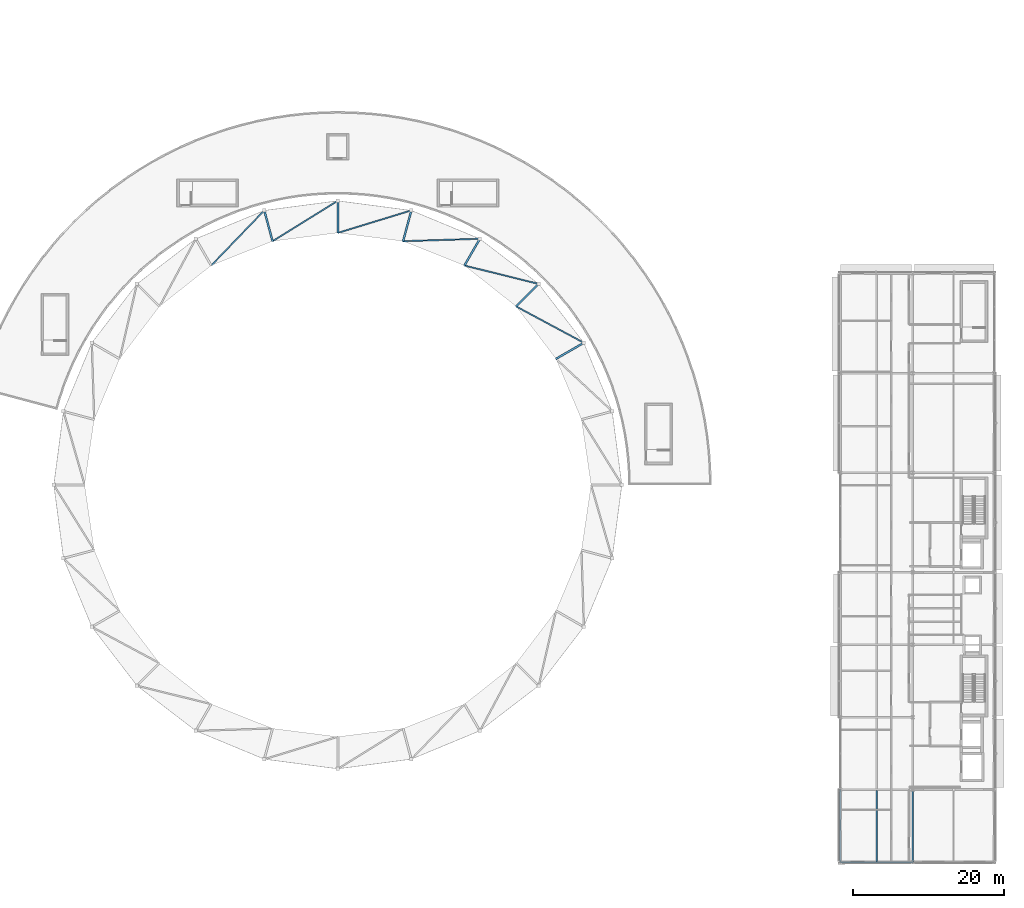
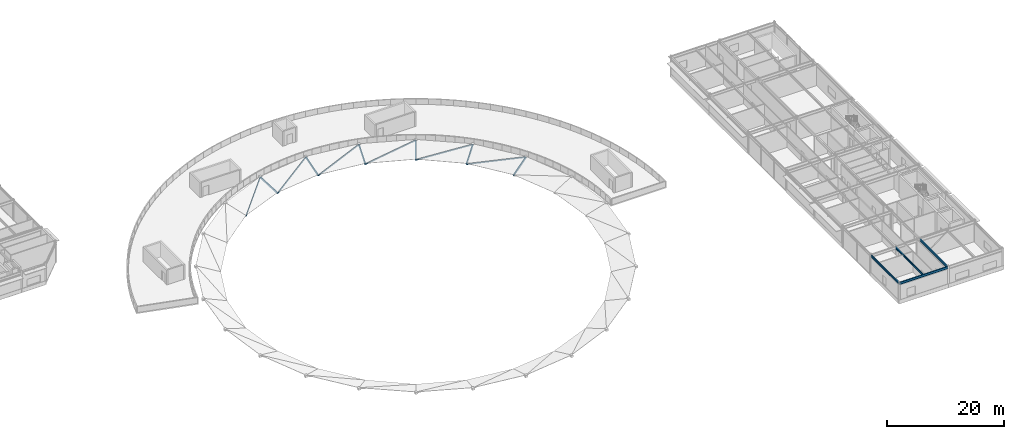
# One storey, part 18 of 50: 12 members, 4 beams.
"""IFC4 building model written with IfcOpenShell, lengths in metres."""

from ifc_helpers import new_model, si_unit, direction, frame, origin, origin_2d, place, context, subcontext, project, spatial, hollow_rectangle, i_section, extrude, material, material_profile, profile_set, type_object, element, save


model = new_model("IFC4")

# Units and contexts
model_context = context("Model", 3, precision=1e-05, world=origin(), true_north=direction((0.0, 1.0)))
body_context = subcontext(model_context, "Body", "Model", "MODEL_VIEW")
ifc_project = project(units=[si_unit("LENGTHUNIT", "METRE"), si_unit("AREAUNIT", "SQUARE_METRE"), si_unit("VOLUMEUNIT", "CUBIC_METRE"), si_unit("PLANEANGLEUNIT", "RADIAN"), si_unit("MASSUNIT", "GRAM", prefix="KILO")], contexts=[model_context])

# Site, building, storey
site_placement = place(None, origin())
site = spatial("IfcSite", under=ifc_project, at=site_placement, CompositionType="ELEMENT")
building_placement = place(site_placement, origin())
building = spatial("IfcBuilding", under=site, at=building_placement, Name="Almandine Court Research Institute", CompositionType="ELEMENT")
storey_placement = place(building_placement, frame((0.0, 0.0, 23.449951171875)))
storey = spatial("IfcBuildingStorey", under=building, at=storey_placement, Name="L05", CompositionType="ELEMENT", Elevation=23.449951171875)

# Beams
ifc_material_1 = material(Name="Steel ASTM A992 Grade 50", Category="steel")
ifc_material_profile_1 = material_profile(ifc_material_1, i_section(OverallWidth=0.18994140625, OverallDepth=0.45703125, WebThickness=0.009033203125, FlangeThickness=0.014892578125, at=origin_2d()), Name="W460x74")
ifc_profile_set_1 = profile_set([ifc_material_profile_1], Name="Steel ASTM A992 Grade 50")
beam_type_1 = type_object("IfcBeamType", Name="Beam-B-01", PredefinedType="BEAM", material=ifc_profile_set_1)
for number, where, z_axis, x_axis, name in (
    (1, (153.60009765625, 6.0, 4.156982421875), (0.0, 1.0, 0.0), (-1.0, 0.0, 0.0), "L05 V4 Primary Y Girder"),
    (2, (163.199951171875, 6.0, 4.156982421875), (0.0, 1.0, 0.0), (-1.0, 0.0, 0.0), "L05 V4 Primary Y Girder"),
):
    element("IfcBeam", number, at=place(storey_placement, frame(where, z_axis=z_axis, x_axis=x_axis)), inside=storey, type_object=beam_type_1, Name=name, PredefinedType="BEAM", context=body_context, shape_type="SweptSolid", body=[
        extrude(i_section(OverallWidth=0.18994140625, OverallDepth=0.45703125, WebThickness=0.009033203125, FlangeThickness=0.014892578125, at=origin_2d()), origin(), (0.0, 0.0, 1.0), 9.60009765625),
    ])
ifc_material_profile_2 = material_profile(ifc_material_1, i_section(OverallWidth=0.178955078125, OverallDepth=0.409912109375, WebThickness=0.009033203125, FlangeThickness=0.013916015625, at=origin_2d()), Name="W410x67")
ifc_profile_set_2 = profile_set([ifc_material_profile_2], Name="Steel ASTM A992 Grade 50")
beam_type_2 = type_object("IfcBeamType", Name="Beam-B-02", PredefinedType="JOIST", material=ifc_profile_set_2)
beam_1_placement = place(storey_placement, frame((158.39990234375, 6.094970703125, 4.179931640625), z_axis=(0.0, 1.0, 0.0), x_axis=(-1.0, 0.0, 0.0)))
element("IfcBeam", 3, at=beam_1_placement, inside=storey, type_object=beam_type_2, Name="L05 V4 Composite Secondary Beam", PredefinedType="JOIST", context=body_context, shape_type="SweptSolid", body=[
    extrude(i_section(OverallWidth=0.178955078125, OverallDepth=0.409912109375, WebThickness=0.009033203125, FlangeThickness=0.013916015625, at=origin_2d()), origin(), (0.0, 0.0, 1.0), 9.401123046875),
])
ifc_material_profile_3 = material_profile(ifc_material_1, i_section(OverallWidth=0.193115234375, OverallDepth=0.466064453125, WebThickness=0.010986328125, FlangeThickness=0.01904296875, at=origin_2d()), Name="W460x97")
ifc_profile_set_3 = profile_set([ifc_material_profile_3], Name="Steel ASTM A992 Grade 50")
beam_type_3 = type_object("IfcBeamType", Name="Beam-G-06-E", PredefinedType="SPANDREL", material=ifc_profile_set_3)
beam_2_placement = place(storey_placement, frame((153.60009765625, 6.0, 4.152099609375), z_axis=(1.0, 0.0, 0.0), x_axis=(0.0, 1.0, 0.0)))
element("IfcBeam", 4, at=beam_2_placement, inside=storey, type_object=beam_type_3, Name="L05 V4 Primary X Girder", PredefinedType="SPANDREL", context=body_context, shape_type="SweptSolid", body=[
    extrude(i_section(OverallWidth=0.193115234375, OverallDepth=0.466064453125, WebThickness=0.010986328125, FlangeThickness=0.01904296875, at=origin_2d()), origin(), (0.0, 0.0, 1.0), 9.599853515625),
])

# Members
ifc_material_2 = material(Name="Steel ASTM A500 Grade C", Category="steel")
ifc_material_profile_4 = material_profile(ifc_material_2, hollow_rectangle(XDim=0.25, YDim=0.25, WallThickness=0.010009765625, at=origin_2d()), Name="HSS 250x250x10")
ifc_profile_set_4 = profile_set([ifc_material_profile_4], Name="Steel ASTM A500 Grade C")
member_type_1 = type_object("IfcMemberType", Name="Mem-GS-AR1", PredefinedType="RAFTER", material=ifc_profile_set_4)
member_1_placement = place(storey_placement, frame((119.60595703125, 74.824951171875, 0.699951171875), z_axis=(-0.830674467519, -0.479682936068, -0.282637948367), x_axis=(0.500072563448, -0.865983505205, 0.0)))
element("IfcMember", 5, at=member_1_placement, inside=storey, type_object=member_type_1, Name="Atrium Conical Gridshell Radial Rib R0-S02", PredefinedType="RAFTER", context=body_context, shape_type="SweptSolid", body=[
    extrude(hollow_rectangle(XDim=0.25, YDim=0.25, WallThickness=0.010009765625, at=origin_2d()), origin(), (0.0, 0.0, 1.0), 4.44677734375),
])
member_2_placement = place(storey_placement, frame((113.623046875, 82.623046875, 0.699951171875), z_axis=(-0.677781888039, -0.677781888039, -0.284997235941), x_axis=(0.707106781187, -0.707106781187, 0.0)))
element("IfcMember", 6, at=member_2_placement, inside=storey, type_object=member_type_1, Name="Atrium Conical Gridshell Radial Rib R0-S03", PredefinedType="RAFTER", context=body_context, shape_type="SweptSolid", body=[
    extrude(hollow_rectangle(XDim=0.25, YDim=0.25, WallThickness=0.010009765625, at=origin_2d()), origin(), (0.0, 0.0, 1.0), 4.409912109375),
])
member_3_placement = place(storey_placement, frame((105.824951171875, 88.60595703125, 0.699951171875), z_axis=(-0.477838809369, -0.827949822439, -0.293545846137), x_axis=(0.86610613113, -0.49986015006, 0.0)))
element("IfcMember", 7, at=member_3_placement, inside=storey, type_object=member_type_1, Name="Atrium Conical Gridshell Radial Rib R0-S04", PredefinedType="RAFTER", context=body_context, shape_type="SweptSolid", body=[
    extrude(hollow_rectangle(XDim=0.25, YDim=0.25, WallThickness=0.010009765625, at=origin_2d()), origin(), (0.0, 0.0, 1.0), 4.281494140625),
])
member_4_placement = place(storey_placement, frame((96.7451171875, 92.366943359375, 0.699951171875), z_axis=(-0.248178453651, -0.925824128747, -0.285056376483), x_axis=(0.965898532228, -0.25892088645, 0.0)))
element("IfcMember", 8, at=member_4_placement, inside=storey, type_object=member_type_1, Name="Atrium Conical Gridshell Radial Rib R0-S05", PredefinedType="RAFTER", context=body_context, shape_type="SweptSolid", body=[
    extrude(hollow_rectangle(XDim=0.25, YDim=0.25, WallThickness=0.010009765625, at=origin_2d()), origin(), (0.0, 0.0, 1.0), 4.4091796875),
])
member_5_placement = place(storey_placement, frame((87.0, 93.64990234375, 0.699951171875), z_axis=(0.0, -0.959215851887, -0.282674635383), x_axis=(1.0, 0.0, 0.0)))
element("IfcMember", 9, at=member_5_placement, inside=storey, type_object=member_type_1, Name="Atrium Conical Gridshell Radial Rib R0-S06", PredefinedType="RAFTER", context=body_context, shape_type="SweptSolid", body=[
    extrude(hollow_rectangle(XDim=0.25, YDim=0.25, WallThickness=0.010009765625, at=origin_2d()), origin(), (0.0, 0.0, 1.0), 4.4462890625),
])
member_6_placement = place(storey_placement, frame((77.2548828125, 92.366943359375, 0.699951171875), z_axis=(0.248178453651, -0.925824128747, -0.285056376483), x_axis=(0.965898532228, 0.25892088645, 0.0)))
element("IfcMember", 10, at=member_6_placement, inside=storey, type_object=member_type_1, Name="Atrium Conical Gridshell Radial Rib R0-S07", PredefinedType="RAFTER", context=body_context, shape_type="SweptSolid", body=[
    extrude(hollow_rectangle(XDim=0.25, YDim=0.25, WallThickness=0.010009765625, at=origin_2d()), origin(), (0.0, 0.0, 1.0), 4.4091796875),
])
ifc_material_profile_5 = material_profile(ifc_material_2, hollow_rectangle(XDim=0.179931640625, YDim=0.179931640625, WallThickness=0.008056640625, at=origin_2d()), Name="HSS 180x180x8")
ifc_profile_set_5 = profile_set([ifc_material_profile_5], Name="Steel ASTM A500 Grade C")
member_type_2 = type_object("IfcMemberType", Name="Mem-GS-BR1", PredefinedType="BRACE", material=ifc_profile_set_5)
member_7_placement = place(storey_placement, frame((119.60595703125, 74.824951171875, 0.699951171875), z_axis=(-0.874727764142, 0.468866839861, -0.122536627658), x_axis=(-0.472427054047, -0.881369774047, 0.0)))
element("IfcMember", 11, at=member_7_placement, inside=storey, type_object=member_type_2, Name="Atrium Conical Gridshell Diagonal Brace R0-S02", PredefinedType="BRACE", context=body_context, shape_type="SweptSolid", body=[
    extrude(hollow_rectangle(XDim=0.179931640625, YDim=0.179931640625, WallThickness=0.008056640625, at=origin_2d()), origin(), (0.0, 0.0, 1.0), 10.2568359375),
])
member_8_placement = place(storey_placement, frame((113.623046875, 82.623046875, 0.699951171875), z_axis=(-0.96330453844, 0.238574418315, -0.122990296964), x_axis=(-0.240399562266, -0.97067401864, 0.0)))
element("IfcMember", 12, at=member_8_placement, inside=storey, type_object=member_type_2, Name="Atrium Conical Gridshell Diagonal Brace R0-S03", PredefinedType="BRACE", context=body_context, shape_type="SweptSolid", body=[
    extrude(hollow_rectangle(XDim=0.179931640625, YDim=0.179931640625, WallThickness=0.008056640625, at=origin_2d()), origin(), (0.0, 0.0, 1.0), 10.218994140625),
])
member_9_placement = place(storey_placement, frame((105.824951171875, 88.60595703125, 0.699951171875), z_axis=(-0.99196968119, -0.031301805264, -0.122541211786), x_axis=(0.031539505086, -0.999502506059, 0.0)))
element("IfcMember", 13, at=member_9_placement, inside=storey, type_object=member_type_2, Name="Atrium Conical Gridshell Diagonal Brace R0-S04", PredefinedType="BRACE", context=body_context, shape_type="SweptSolid", body=[
    extrude(hollow_rectangle(XDim=0.179931640625, YDim=0.179931640625, WallThickness=0.008056640625, at=origin_2d()), origin(), (0.0, 0.0, 1.0), 10.25634765625),
])
member_10_placement = place(storey_placement, frame((96.7451171875, 92.366943359375, 0.699951171875), z_axis=(-0.949044741726, -0.290400653258, -0.122399096362), x_axis=(0.29260072907, -0.956234706203, 0.0)))
element("IfcMember", 14, at=member_10_placement, inside=storey, type_object=member_type_2, Name="Atrium Conical Gridshell Diagonal Brace R0-S05", PredefinedType="BRACE", context=body_context, shape_type="SweptSolid", body=[
    extrude(hollow_rectangle(XDim=0.179931640625, YDim=0.179931640625, WallThickness=0.008056640625, at=origin_2d()), origin(), (0.0, 0.0, 1.0), 10.268310546875),
])
member_11_placement = place(storey_placement, frame((87.0, 93.64990234375, 0.699951171875), z_axis=(-0.843434590321, -0.523070359607, -0.122537711547), x_axis=(0.527042224702, -0.849839098525, 0.0)))
element("IfcMember", 15, at=member_11_placement, inside=storey, type_object=member_type_2, Name="Atrium Conical Gridshell Diagonal Brace R0-S06", PredefinedType="BRACE", context=body_context, shape_type="SweptSolid", body=[
    extrude(hollow_rectangle(XDim=0.179931640625, YDim=0.179931640625, WallThickness=0.008056640625, at=origin_2d()), origin(), (0.0, 0.0, 1.0), 10.2568359375),
])
member_12_placement = place(storey_placement, frame((77.2548828125, 92.366943359375, 0.699951171875), z_axis=(-0.688305454968, -0.714919327338, -0.122987625635), x_axis=(0.720388368665, -0.693570903579, 0.0)))
element("IfcMember", 16, at=member_12_placement, inside=storey, type_object=member_type_2, Name="Atrium Conical Gridshell Diagonal Brace R0-S07", PredefinedType="BRACE", context=body_context, shape_type="SweptSolid", body=[
    extrude(hollow_rectangle(XDim=0.179931640625, YDim=0.179931640625, WallThickness=0.008056640625, at=origin_2d()), origin(), (0.0, 0.0, 1.0), 10.21923828125),
])

save(model, "model.ifc")
